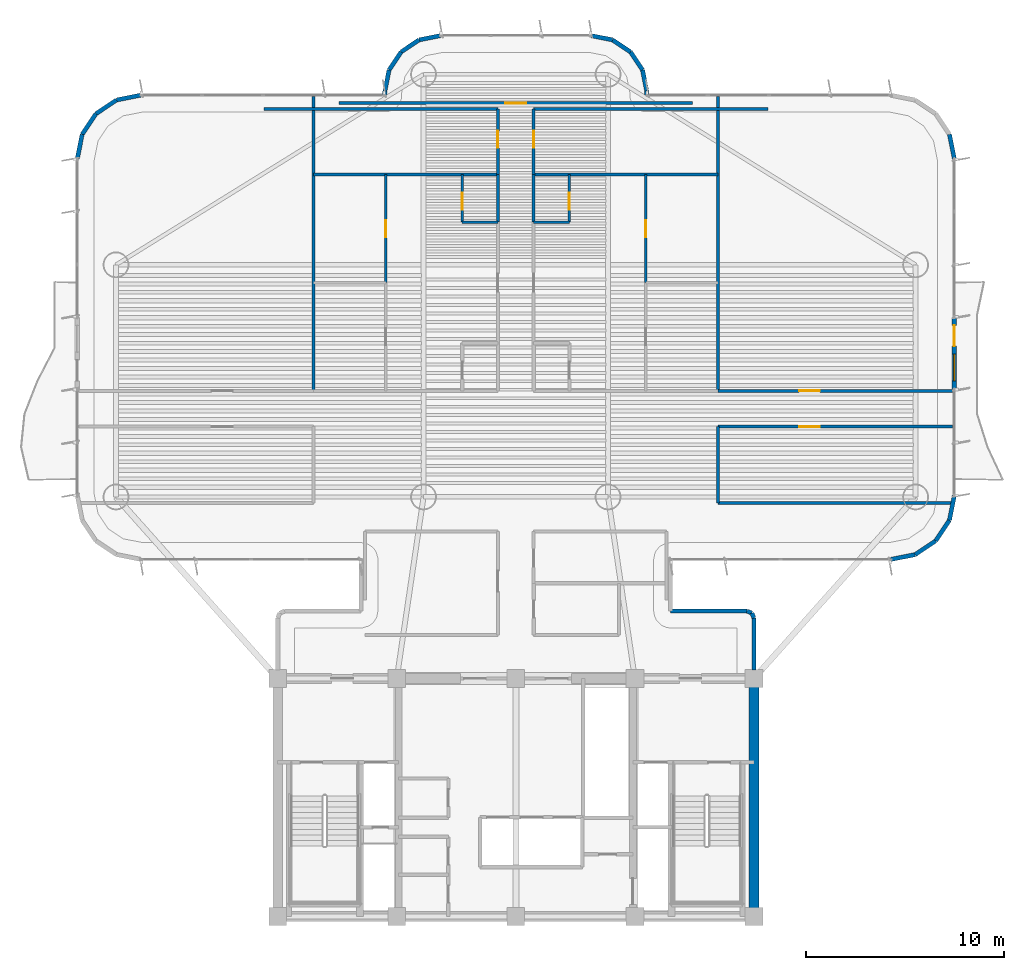
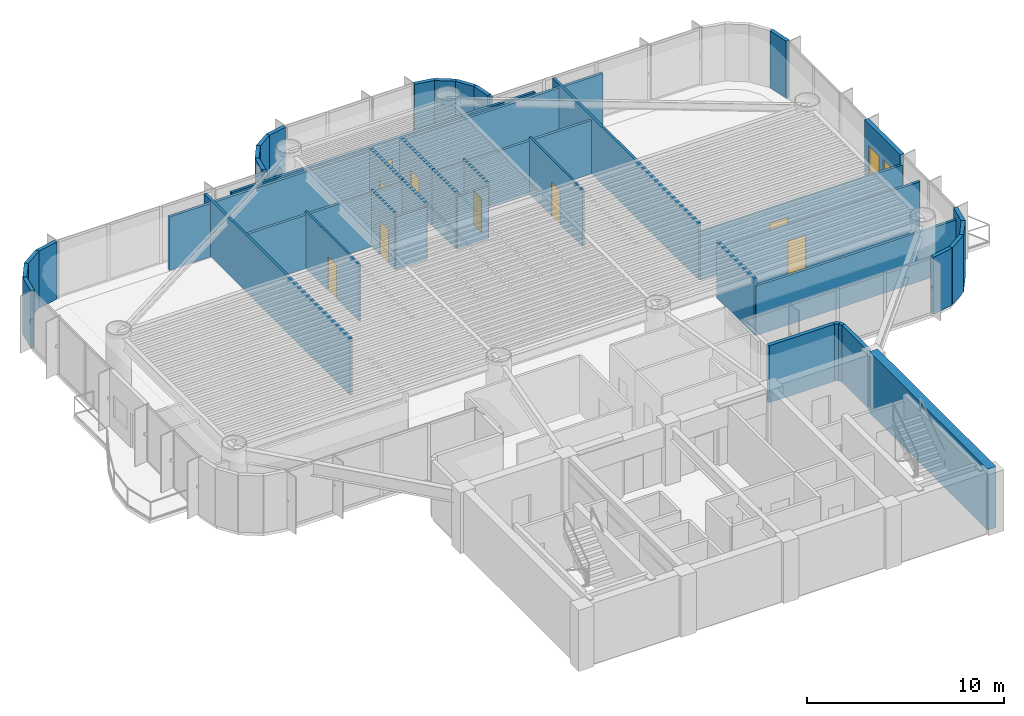
# One storey, part 11 of 16: 46 walls, 10 doors, 1 window, 11 openings.
"""IFC4 building model written with IfcOpenShell, lengths in metres."""

from ifc_helpers import new_model, si_unit, direction, frame, frame_2d, origin, origin_2d, place, context, subcontext, project, spatial, rectangle, extrude, source, transform, mapped, material, layer, layer_set, type_object, element, fill, save


model = new_model("IFC4")

# Units and contexts
model_context = context("Model", 3, precision=1e-05, world=origin(), true_north=direction((0.0, 1.0)))
body_context = subcontext(model_context, "Body", "Model", "MODEL_VIEW")
ifc_project = project(units=[si_unit("LENGTHUNIT", "METRE"), si_unit("AREAUNIT", "SQUARE_METRE"), si_unit("VOLUMEUNIT", "CUBIC_METRE"), si_unit("PLANEANGLEUNIT", "RADIAN"), si_unit("MASSUNIT", "GRAM", prefix="KILO")], contexts=[model_context])

# Site, building, storey
site_placement = place(None, origin())
site = spatial("IfcSite", under=ifc_project, at=site_placement, CompositionType="ELEMENT")
building_placement = place(site_placement, origin())
building = spatial("IfcBuilding", under=site, at=building_placement, Name="Brelvock Crest Care Tower", CompositionType="ELEMENT")
storey_placement = place(building_placement, frame((0.0, 0.0, 138.9599609375)))
storey = spatial("IfcBuildingStorey", under=building, at=storey_placement, Name="L35", CompositionType="ELEMENT", Elevation=138.9599609375)

# Wall
ifc_material_1 = material(Name="Concrete S80 (80 MPa)", Category="concrete")
ifc_layer_1 = layer(ifc_material_1, 0.5, Name="WL-CS2")
ifc_layer_set_1 = layer_set([ifc_layer_1], Name="Concrete S80 (80 MPa)")
wall_type_1 = type_object("IfcWallType", Name="WL-CS2", PredefinedType="SHEAR", material=ifc_layer_set_1)
wall_1_placement = place(storey_placement, frame((48.0, 18.0, 0.0), z_axis=(0.0, 0.0, 1.0), x_axis=(0.0, -1.0, 0.0)))
element("IfcWall", 1, at=wall_1_placement, inside=storey, type_object=wall_type_1, Name="L35 Core East Shear Wall", PredefinedType="SHEAR", context=body_context, shape_type="SweptSolid", body=[
    extrude(rectangle(XDim=12.0, YDim=0.5, at=frame_2d((6.0, 0.0))), origin(), (0.0, 0.0, 1.0), 3.780029296875),
])

# Wall, openings, door, window
ifc_material_2 = material(Name="Precast concrete N40 (40 MPa)", Category="concrete")
ifc_layer_2 = layer(ifc_material_2, 0.239990234375, Name="WL-EX1")
ifc_layer_set_2 = layer_set([ifc_layer_2], Name="Precast concrete N40 (40 MPa)")
wall_type_2 = type_object("IfcWallType", Name="WL-EX1", PredefinedType="SOLIDWALL", material=ifc_layer_set_2)
wall_2_placement = place(storey_placement, frame((58.10009765625, 36.199951171875, 0.0), z_axis=(0.0, 0.0, 1.0), x_axis=(0.0, -1.0, 0.0)))
wall_2 = element("IfcWall", 2, at=wall_2_placement, inside=storey, type_object=wall_type_2, Name="L35 Exterior Spandrel Wall WL-BAL-L35-E", PredefinedType="SOLIDWALL", context=body_context, shape_type="SweptSolid", body=[
    extrude(rectangle(XDim=3.599853515625, YDim=0.239990234375, at=frame_2d((1.7998046875, 0.0))), origin(), (0.0, 0.0, 1.0), 3.530029296875),
])
opening_1_placement = place(wall_2_placement, frame((0.39990234375, 0.0, 0.0)))
opening_1 = element("IfcOpeningElement", 3, at=opening_1_placement, cuts=wall_2, Name="Opening BD-1", PredefinedType="OPENING", context=body_context, shape_type="SweptSolid", body=[
    extrude(rectangle(XDim=1.050048828125, YDim=2.14990234375, at=origin_2d()), frame((0.52490234375, 0.1298828125, 1.074951171875), z_axis=(0.0, -1.0, 0.0), x_axis=(1.0, 0.0, 0.0)), (0.0, 0.0, 1.0), 0.260009765625),
])
opening_2_placement = place(wall_2_placement, frame((1.85009765625, 0.0, 0.85009765625)))
opening_2 = element("IfcOpeningElement", 4, at=opening_2_placement, cuts=wall_2, Name="Opening W-01", PredefinedType="OPENING", context=body_context, shape_type="SweptSolid", body=[
    extrude(rectangle(XDim=1.35009765625, YDim=1.35009765625, at=origin_2d()), frame((0.675048828125, 0.1298828125, 0.675048828125), z_axis=(0.0, -1.0, 0.0), x_axis=(1.0, 0.0, 0.0)), (0.0, 0.0, 1.0), 0.260009765625),
])
ifc_material_3 = material(Name="Dark Glass Double Glazed Low-E", Category="glass")
door_type_1 = type_object("IfcDoorType", Name="DR-BAL1", OperationType="NOTDEFINED", PredefinedType="DOOR", material=ifc_material_3)
shared_shape_1 = source(origin(), body_context, "Body", "SweptSolid", [
    extrude(rectangle(XDim=1.050048828125, YDim=2.14990234375, at=origin_2d()), frame((0.52490234375, 0.02490234375, 1.074951171875), z_axis=(0.0, -1.0, 0.0), x_axis=(1.0, 0.0, 0.0)), (0.0, 0.0, 1.0), 0.050048828125),
])
door_1_placement = place(opening_1_placement, origin())
door_1 = element("IfcDoor", 5, at=door_1_placement, inside=storey, type_object=door_type_1, Name="L35 E Wave Balcony Glazed Door", OperationType="SINGLE_SWING_RIGHT", OverallHeight=2.14990234375, OverallWidth=1.050048828125, PredefinedType="DOOR", context=body_context, shape_type="MappedRepresentation", body=[
    mapped(shared_shape_1, transform((0.0, 0.0, 0.0), x_axis=(1.0, 0.0, 0.0), y_axis=(0.0, 1.0, 0.0), z_axis=(0.0, 0.0, 1.0), scale=1.0)),
])
fill(opening_1, door_1)
window_type = type_object("IfcWindowType", Name="WN-EX1", PartitioningType="SINGLE_PANEL", PredefinedType="WINDOW", material=ifc_material_3)
shared_shape_2 = source(origin(), body_context, "Body", "SweptSolid", [
    extrude(rectangle(XDim=1.35009765625, YDim=1.35009765625, at=origin_2d()), frame((0.675048828125, 0.030029296875, 0.675048828125), z_axis=(0.0, -1.0, 0.0), x_axis=(1.0, 0.0, 0.0)), (0.0, 0.0, 1.0), 0.06005859375),
])
window_placement = place(opening_2_placement, origin())
window = element("IfcWindow", 6, at=window_placement, inside=storey, type_object=window_type, Name="L35 E Suite Casement Window", OverallHeight=1.35009765625, OverallWidth=1.35009765625, PartitioningType="SINGLE_PANEL", PredefinedType="WINDOW", context=body_context, shape_type="MappedRepresentation", body=[
    mapped(shared_shape_2, transform((0.0, 0.0, 0.0), x_axis=(1.0, 0.0, 0.0), y_axis=(0.0, 1.0, 0.0), z_axis=(0.0, 0.0, 1.0), scale=1.0)),
])
fill(opening_2, window)

# Walls
ifc_layer_3 = layer(ifc_material_2, 0.215087890625, Name="WL-EX2")
ifc_layer_set_3 = layer_set([ifc_layer_3], Name="Precast concrete N40 (40 MPa)")
wall_type_3 = type_object("IfcWallType", Name="WL-EX2", PredefinedType="SOLIDWALL", material=ifc_layer_set_3)
wall_3_placement = place(storey_placement, frame((47.8974609375, 21.297607421875, 0.0), z_axis=(0.0, 0.0, 1.0), x_axis=(0.382673670509, -0.923883575944, 0.0)))
element("IfcWall", 7, at=wall_3_placement, inside=storey, type_object=wall_type_3, Name="L35 Rounded Corner Wall 00", PredefinedType="SOLIDWALL", context=body_context, shape_type="SweptSolid", body=[
    extrude(rectangle(XDim=0.26806640625, YDim=0.215087890625, at=frame_2d((0.134033203125, 0.0))), origin(), (0.0, 0.0, 1.0), 3.530029296875),
])
wall_4_placement = place(storey_placement, frame((48.0, 21.050048828125, 0.0), z_axis=(0.0, 0.0, 1.0), x_axis=(0.0, -1.0, 0.0)))
element("IfcWall", 8, at=wall_4_placement, inside=storey, type_object=wall_type_3, Name="L35 Rounded Corner Wall 01", PredefinedType="SOLIDWALL", context=body_context, shape_type="SweptSolid", body=[
    extrude(rectangle(XDim=2.6201171875, YDim=0.215087890625, at=frame_2d((1.31005859375, 0.0))), origin(), (0.0, 0.0, 1.0), 3.530029296875),
])
for number, where, z_axis, x_axis, name in (
    (9, (13.89990234375, 44.199951171875, 0.0), (0.0, 0.0, 1.0), (0.195138390419, 0.980775717779, 0.0), "L35 Rounded Corner Wall 18"),
    (10, (14.1435546875, 45.424560546875, 0.0), (0.0, 0.0, 1.0), (0.555692485475, 0.831387912822, 0.0), "L35 Rounded Corner Wall 19"),
    (11, (14.83740234375, 46.462646484375, 0.0), (0.0, 0.0, 1.0), (0.831387912822, 0.555692485475, 0.0), "L35 Rounded Corner Wall 20"),
    (12, (15.87548828125, 47.156494140625, 0.0), (0.0, 0.0, 1.0), (0.980813122964, 0.194950295773, 0.0), "L35 Rounded Corner Wall 21"),
):
    element("IfcWall", number, at=place(storey_placement, frame(where, z_axis=z_axis, x_axis=x_axis)), inside=storey, type_object=wall_type_3, Name=name, PredefinedType="SOLIDWALL", context=body_context, shape_type="SweptSolid", body=[
        extrude(rectangle(XDim=1.24853515625, YDim=0.215087890625, at=frame_2d((0.624267578125, 0.0))), origin(), (0.0, 0.0, 1.0), 3.530029296875),
    ])
wall_5_placement = place(storey_placement, frame((29.39990234375, 47.39990234375, 0.0), z_axis=(0.0, 0.0, 1.0), x_axis=(0.0, 1.0, 0.0)))
element("IfcWall", 13, at=wall_5_placement, inside=storey, type_object=wall_type_3, Name="L35 Rounded Corner Wall 23", PredefinedType="SOLIDWALL", context=body_context, shape_type="SweptSolid", body=[
    extrude(rectangle(XDim=0.2001953125, YDim=0.215087890625, at=frame_2d((0.10009765625, 0.0))), origin(), (0.0, 0.0, 1.0), 3.530029296875),
])
wall_6_placement = place(storey_placement, frame((29.39990234375, 47.60009765625, 0.0), z_axis=(0.0, 0.0, 1.0), x_axis=(0.195127417394, 0.980777900945, 0.0)))
element("IfcWall", 14, at=wall_6_placement, inside=storey, type_object=wall_type_3, Name="L35 Rounded Corner Wall 24", PredefinedType="SOLIDWALL", context=body_context, shape_type="SweptSolid", body=[
    extrude(rectangle(XDim=1.09228515625, YDim=0.215087890625, at=frame_2d((0.546142578125, 0.0))), origin(), (0.0, 0.0, 1.0), 3.530029296875),
])
wall_7_placement = place(storey_placement, frame((29.613037109375, 48.67138671875, 0.0), z_axis=(0.0, 0.0, 1.0), x_axis=(0.555679482341, 0.831396603857, 0.0)))
element("IfcWall", 15, at=wall_7_placement, inside=storey, type_object=wall_type_3, Name="L35 Rounded Corner Wall 25", PredefinedType="SOLIDWALL", context=body_context, shape_type="SweptSolid", body=[
    extrude(rectangle(XDim=1.0927734375, YDim=0.215087890625, at=frame_2d((0.54638671875, 0.0))), origin(), (0.0, 0.0, 1.0), 3.530029296875),
])
for number, where, z_axis, x_axis, name in (
    (16, (30.22021484375, 49.579833984375, 0.0), (0.0, 0.0, 1.0), (0.831327592857, 0.555782721353, 0.0), "L35 Rounded Corner Wall 26"),
    (17, (31.12841796875, 50.18701171875, 0.0), (0.0, 0.0, 1.0), (0.980829143587, 0.194869677195, 0.0), "L35 Rounded Corner Wall 27"),
    (18, (39.800048828125, 50.39990234375, 0.0), (0.0, 0.0, 1.0), (0.980829143587, -0.194869677195, 0.0), "L35 Rounded Corner Wall 29"),
    (19, (40.87158203125, 50.18701171875, 0.0), (0.0, 0.0, 1.0), (0.831327592857, -0.555782721353, 0.0), "L35 Rounded Corner Wall 30"),
):
    element("IfcWall", number, at=place(storey_placement, frame(where, z_axis=z_axis, x_axis=x_axis)), inside=storey, type_object=wall_type_3, Name=name, PredefinedType="SOLIDWALL", context=body_context, shape_type="SweptSolid", body=[
        extrude(rectangle(XDim=1.092529296875, YDim=0.215087890625, at=frame_2d((0.54638671875, 0.0))), origin(), (0.0, 0.0, 1.0), 3.530029296875),
    ])
wall_8_placement = place(storey_placement, frame((41.77978515625, 49.579833984375, 0.0), z_axis=(0.0, 0.0, 1.0), x_axis=(0.555679482341, -0.831396603857, 0.0)))
element("IfcWall", 20, at=wall_8_placement, inside=storey, type_object=wall_type_3, Name="L35 Rounded Corner Wall 31", PredefinedType="SOLIDWALL", context=body_context, shape_type="SweptSolid", body=[
    extrude(rectangle(XDim=1.0927734375, YDim=0.215087890625, at=frame_2d((0.54638671875, 0.0))), origin(), (0.0, 0.0, 1.0), 3.530029296875),
])
wall_9_placement = place(storey_placement, frame((42.386962890625, 48.67138671875, 0.0), z_axis=(0.0, 0.0, 1.0), x_axis=(0.195127417394, -0.980777900945, 0.0)))
element("IfcWall", 21, at=wall_9_placement, inside=storey, type_object=wall_type_3, Name="L35 Rounded Corner Wall 32", PredefinedType="SOLIDWALL", context=body_context, shape_type="SweptSolid", body=[
    extrude(rectangle(XDim=1.09228515625, YDim=0.215087890625, at=frame_2d((0.546142578125, 0.0))), origin(), (0.0, 0.0, 1.0), 3.530029296875),
])
wall_10_placement = place(storey_placement, frame((42.60009765625, 47.60009765625, 0.0), z_axis=(0.0, 0.0, 1.0), x_axis=(0.0, -1.0, 0.0)))
element("IfcWall", 22, at=wall_10_placement, inside=storey, type_object=wall_type_3, Name="L35 Rounded Corner Wall 33", PredefinedType="SOLIDWALL", context=body_context, shape_type="SweptSolid", body=[
    extrude(rectangle(XDim=0.2001953125, YDim=0.215087890625, at=frame_2d((0.10009765625, 0.0))), origin(), (0.0, 0.0, 1.0), 3.530029296875),
])
for number, where, z_axis, x_axis, name in (
    (23, (57.8564453125, 45.424560546875, 0.0), (0.0, 0.0, 1.0), (0.195138390419, -0.980775717779, 0.0), "L35 Rounded Corner Wall 38"),
    (24, (58.10009765625, 27.199951171875, 0.0), (0.0, 0.0, 1.0), (-0.195138390419, -0.980775717779, 0.0), "L35 Rounded Corner Wall 40"),
    (25, (57.8564453125, 25.975341796875, 0.0), (0.0, 0.0, 1.0), (-0.555692485475, -0.831387912822, 0.0), "L35 Rounded Corner Wall 41"),
    (26, (57.16259765625, 24.937255859375, 0.0), (0.0, 0.0, 1.0), (-0.831478245117, -0.555557312883, 0.0), "L35 Rounded Corner Wall 42"),
    (27, (56.12451171875, 24.24365234375, 0.0), (0.0, 0.0, 1.0), (-0.980775717779, -0.195138390419, 0.0), "L35 Rounded Corner Wall 43"),
):
    element("IfcWall", number, at=place(storey_placement, frame(where, z_axis=z_axis, x_axis=x_axis)), inside=storey, type_object=wall_type_3, Name=name, PredefinedType="SOLIDWALL", context=body_context, shape_type="SweptSolid", body=[
        extrude(rectangle(XDim=1.24853515625, YDim=0.215087890625, at=frame_2d((0.624267578125, 0.0))), origin(), (0.0, 0.0, 1.0), 3.530029296875),
    ])
wall_11_placement = place(storey_placement, frame((43.800048828125, 21.39990234375, 0.0), z_axis=(0.0, 0.0, 1.0), x_axis=(1.0, 0.0, 0.0)))
element("IfcWall", 28, at=wall_11_placement, inside=storey, type_object=wall_type_3, Name="L35 Rounded Corner Wall 46", PredefinedType="SOLIDWALL", context=body_context, shape_type="SweptSolid", body=[
    extrude(rectangle(XDim=3.849853515625, YDim=0.215087890625, at=frame_2d((1.9248046875, 0.0))), origin(), (0.0, 0.0, 1.0), 3.530029296875),
])
wall_12_placement = place(storey_placement, frame((47.64990234375, 21.39990234375, 0.0), z_axis=(0.0, 0.0, 1.0), x_axis=(0.924205486139, -0.381895560841, 0.0)))
element("IfcWall", 29, at=wall_12_placement, inside=storey, type_object=wall_type_3, Name="L35 Rounded Corner Wall 47", PredefinedType="SOLIDWALL", context=body_context, shape_type="SweptSolid", body=[
    extrude(rectangle(XDim=0.267822265625, YDim=0.215087890625, at=frame_2d((0.1337890625, 0.0))), origin(), (0.0, 0.0, 1.0), 3.530029296875),
])
ifc_material_4 = material(Name="Masonry Blockwork Acoustic Partition", Category="masonry")
ifc_layer_4 = layer(ifc_material_4, 0.14990234375, Name="WL-INT1")
ifc_layer_set_4 = layer_set([ifc_layer_4], Name="Masonry Blockwork Acoustic Partition")
wall_type_4 = type_object("IfcWallType", Name="WL-INT1", PredefinedType="PARTITIONING", material=ifc_layer_set_4)
wall_13_placement = place(storey_placement, frame((46.199951171875, 26.85009765625, 0.0), z_axis=(0.0, 0.0, 1.0), x_axis=(1.0, 0.0, 0.0)))
element("IfcWall", 30, at=wall_13_placement, inside=storey, type_object=wall_type_4, Name="L35 Interior Wall WL-BX-L35-ISEO-S", PredefinedType="PARTITIONING", context=body_context, shape_type="SweptSolid", body=[
    extrude(rectangle(XDim=11.748779296875, YDim=0.14990234375, at=frame_2d((5.87451171875, 0.0))), origin(), (0.0, 0.0, 1.0), 3.054931640625),
])

# Wall, opening, door
wall_14_placement = place(storey_placement, frame((46.199951171875, 30.699951171875, 0.0), z_axis=(0.0, 0.0, 1.0), x_axis=(1.0, 0.0, 0.0)))
wall_14 = element("IfcWall", 31, at=wall_14_placement, inside=storey, type_object=wall_type_4, Name="L35 Interior Wall WL-RM-L35-ISEO", PredefinedType="PARTITIONING", context=body_context, shape_type="SweptSolid", body=[
    extrude(rectangle(XDim=11.820068359375, YDim=0.14990234375, at=frame_2d((5.91015625, 0.0))), origin(), (0.0, 0.0, 1.0), 3.054931640625),
])
opening_3_placement = place(wall_14_placement, frame((4.074951171875, 0.0, 0.0)))
opening_3 = element("IfcOpeningElement", 32, at=opening_3_placement, cuts=wall_14, Name="Opening CLD-1", PredefinedType="OPENING", context=body_context, shape_type="SweptSolid", body=[
    extrude(rectangle(XDim=1.050048828125, YDim=2.10009765625, at=origin_2d()), frame((0.52490234375, 0.0849609375, 1.050048828125), z_axis=(0.0, -1.0, 0.0), x_axis=(1.0, 0.0, 0.0)), (0.0, 0.0, 1.0), 0.169921875),
])
ifc_material_5 = material(Name="Engineered Hardwood Timber", Category="wood")
door_type_2 = type_object("IfcDoorType", Name="DR-CLN1", OperationType="NOTDEFINED", PredefinedType="DOOR", material=ifc_material_5)
shared_shape_3 = source(origin(), body_context, "Body", "SweptSolid", [
    extrude(rectangle(XDim=1.050048828125, YDim=2.10009765625, at=origin_2d()), frame((0.52490234375, 0.02490234375, 1.050048828125), z_axis=(0.0, -1.0, 0.0), x_axis=(1.0, 0.0, 0.0)), (0.0, 0.0, 1.0), 0.050048828125),
])
door_2_placement = place(opening_3_placement, origin())
door_2 = element("IfcDoor", 33, at=door_2_placement, inside=storey, type_object=door_type_2, Name="L35 Resident Harbour Study Door ISEO", OperationType="SINGLE_SWING_LEFT", OverallHeight=2.10009765625, OverallWidth=1.050048828125, PredefinedType="DOOR", context=body_context, shape_type="MappedRepresentation", body=[
    mapped(shared_shape_3, transform((0.0, 0.0, 0.0), x_axis=(1.0, 0.0, 0.0), y_axis=(0.0, 1.0, 0.0), z_axis=(0.0, 0.0, 1.0), scale=1.0)),
])
fill(opening_3, door_2)

wall_15_placement = place(storey_placement, frame((46.199951171875, 32.5, 0.0), z_axis=(0.0, 0.0, 1.0), x_axis=(1.0, 0.0, 0.0)))
wall_15 = element("IfcWall", 34, at=wall_15_placement, inside=storey, type_object=wall_type_4, Name="L35 Interior Wall WL-RM-L35-INEO", PredefinedType="PARTITIONING", context=body_context, shape_type="SweptSolid", body=[
    extrude(rectangle(XDim=11.820068359375, YDim=0.14990234375, at=frame_2d((5.91015625, 0.0))), origin(), (0.0, 0.0, 1.0), 2.98193359375),
])
opening_4_placement = place(wall_15_placement, frame((4.074951171875, 0.0, 0.0)))
opening_4 = element("IfcOpeningElement", 35, at=opening_4_placement, cuts=wall_15, Name="Opening CLD-1", PredefinedType="OPENING", context=body_context, shape_type="SweptSolid", body=[
    extrude(rectangle(XDim=1.050048828125, YDim=2.10009765625, at=origin_2d()), frame((0.52490234375, 0.0849609375, 1.050048828125), z_axis=(0.0, -1.0, 0.0), x_axis=(1.0, 0.0, 0.0)), (0.0, 0.0, 1.0), 0.169921875),
])
door_3_placement = place(opening_4_placement, origin())
door_3 = element("IfcDoor", 36, at=door_3_placement, inside=storey, type_object=door_type_2, Name="L35 Resident Harbour Study Door INEO", OperationType="SINGLE_SWING_LEFT", OverallHeight=2.10009765625, OverallWidth=1.050048828125, PredefinedType="DOOR", context=body_context, shape_type="MappedRepresentation", body=[
    mapped(shared_shape_3, transform((0.0, 0.0, 0.0), x_axis=(1.0, 0.0, 0.0), y_axis=(0.0, 1.0, 0.0), z_axis=(0.0, 0.0, 1.0), scale=1.0)),
])
fill(opening_4, door_3)

# Walls
for number, where, z_axis, x_axis, name in (
    (37, (25.800048828125, 43.39990234375, 0.0), (0.0, 0.0, 1.0), (1.0, 0.0, 0.0), "L35 Interior Wall WL-BX-L35-FL-INWI-N"),
    (38, (36.89990234375, 43.39990234375, 0.0), (0.0, 0.0, 1.0), (1.0, 0.0, 0.0), "L35 Interior Wall WL-BX-L35-FL-INEI-N"),
):
    element("IfcWall", number, at=place(storey_placement, frame(where, z_axis=z_axis, x_axis=x_axis)), inside=storey, type_object=wall_type_4, Name=name, PredefinedType="PARTITIONING", context=body_context, shape_type="SweptSolid", body=[
        extrude(rectangle(XDim=9.300048828125, YDim=0.14990234375, at=frame_2d((4.64990234375, 0.0))), origin(), (0.0, 0.0, 1.0), 3.30810546875),
    ])
for number, where, z_axis, x_axis, name in (
    (39, (23.300048828125, 46.699951171875, 0.0), (0.0, 0.0, 1.0), (1.0, 0.0, 0.0), "L35 Interior Wall WL-BX-L35-INWN-N"),
    (40, (36.89990234375, 46.699951171875, 0.0), (0.0, 0.0, 1.0), (1.0, 0.0, 0.0), "L35 Interior Wall WL-BX-L35-INEN-N"),
):
    element("IfcWall", number, at=place(storey_placement, frame(where, z_axis=z_axis, x_axis=x_axis)), inside=storey, type_object=wall_type_4, Name=name, PredefinedType="PARTITIONING", context=body_context, shape_type="SweptSolid", body=[
        extrude(rectangle(XDim=11.800048828125, YDim=0.14990234375, at=frame_2d((5.89990234375, 0.0))), origin(), (0.0, 0.0, 1.0), 3.30810546875),
    ])

# Wall, opening, door
wall_16_placement = place(storey_placement, frame((27.10009765625, 47.0, 0.0), z_axis=(0.0, 0.0, 1.0), x_axis=(1.0, 0.0, 0.0)))
wall_16 = element("IfcWall", 41, at=wall_16_placement, inside=storey, type_object=wall_type_4, Name="L35 Interior Wall WL-RM-L35-NHUB", PredefinedType="PARTITIONING", context=body_context, shape_type="SweptSolid", body=[
    extrude(rectangle(XDim=17.7998046875, YDim=0.14990234375, at=frame_2d((8.89990234375, 0.0))), origin(), (0.0, 0.0, 1.0), 3.30810546875),
])
opening_5_placement = place(wall_16_placement, frame((8.375, 0.0, 0.0)))
opening_5 = element("IfcOpeningElement", 42, at=opening_5_placement, cuts=wall_16, Name="Opening CLD-1", PredefinedType="OPENING", context=body_context, shape_type="SweptSolid", body=[
    extrude(rectangle(XDim=1.050048828125, YDim=2.10009765625, at=origin_2d()), frame((0.52490234375, 0.0849609375, 1.050048828125), z_axis=(0.0, -1.0, 0.0), x_axis=(1.0, 0.0, 0.0)), (0.0, 0.0, 1.0), 0.169921875),
])
door_4_placement = place(opening_5_placement, origin())
door_4 = element("IfcDoor", 43, at=door_4_placement, inside=storey, type_object=door_type_2, Name="L35 North Panorama Sunroom Door NHUB", OperationType="SINGLE_SWING_LEFT", OverallHeight=2.10009765625, OverallWidth=1.050048828125, PredefinedType="DOOR", context=body_context, shape_type="MappedRepresentation", body=[
    mapped(shared_shape_3, transform((0.0, 0.0, 0.0), x_axis=(1.0, 0.0, 0.0), y_axis=(0.0, 1.0, 0.0), z_axis=(0.0, 0.0, 1.0), scale=1.0)),
])
fill(opening_5, door_4)

# Walls
wall_17_placement = place(storey_placement, frame((25.800048828125, 32.5, 0.0), z_axis=(0.0, 0.0, 1.0), x_axis=(0.0, 1.0, 0.0)))
element("IfcWall", 44, at=wall_17_placement, inside=storey, type_object=wall_type_4, Name="L35 Interior Wall WL-BX-L35-INWO-E", PredefinedType="PARTITIONING", context=body_context, shape_type="SweptSolid", body=[
    extrude(rectangle(XDim=14.821044921875, YDim=0.14990234375, at=frame_2d((7.41064453125, 0.0))), origin(), (0.0, 0.0, 1.0), 3.5),
])
wall_18_placement = place(storey_placement, frame((35.10009765625, 41.0, 0.0), z_axis=(0.0, 0.0, 1.0), x_axis=(0.0, 1.0, 0.0)))
element("IfcWall", 45, at=wall_18_placement, inside=storey, type_object=wall_type_4, Name="L35 Interior Wall WL-UCK-L35-INWI", PredefinedType="PARTITIONING", context=body_context, shape_type="SweptSolid", body=[
    extrude(rectangle(XDim=2.39990234375, YDim=0.14990234375, at=frame_2d((1.199951171875, 0.0))), origin(), (0.0, 0.0, 1.0), 3.5),
])

# Wall, opening, door
wall_19_placement = place(storey_placement, frame((35.10009765625, 43.39990234375, 0.0), z_axis=(0.0, 0.0, 1.0), x_axis=(0.0, 1.0, 0.0)))
wall_19 = element("IfcWall", 46, at=wall_19_placement, inside=storey, type_object=wall_type_4, Name="L35 Interior Wall WL-RM-L35-INWN", PredefinedType="PARTITIONING", context=body_context, shape_type="SweptSolid", body=[
    extrude(rectangle(XDim=3.300048828125, YDim=0.14990234375, at=frame_2d((1.64990234375, 0.0))), origin(), (0.0, 0.0, 1.0), 3.5),
])
opening_6_placement = place(wall_19_placement, frame((1.340087890625, 0.0, 0.0)))
opening_6 = element("IfcOpeningElement", 47, at=opening_6_placement, cuts=wall_19, Name="Opening ID-1", PredefinedType="OPENING", context=body_context, shape_type="SweptSolid", body=[
    extrude(rectangle(XDim=0.860107421875, YDim=2.10009765625, at=origin_2d()), frame((0.43017578125, 0.0849609375, 1.050048828125), z_axis=(0.0, -1.0, 0.0), x_axis=(1.0, 0.0, 0.0)), (0.0, 0.0, 1.0), 0.169921875),
])
door_type_3 = type_object("IfcDoorType", Name="DR-INT1", OperationType="NOTDEFINED", PredefinedType="DOOR", material=ifc_material_5)
shared_shape_4 = source(origin(), body_context, "Body", "SweptSolid", [
    extrude(rectangle(XDim=0.860107421875, YDim=2.10009765625, at=origin_2d()), frame((0.43017578125, 0.02490234375, 1.050048828125), z_axis=(0.0, -1.0, 0.0), x_axis=(1.0, 0.0, 0.0)), (0.0, 0.0, 1.0), 0.050048828125),
])
door_5_placement = place(opening_6_placement, origin())
door_5 = element("IfcDoor", 48, at=door_5_placement, inside=storey, type_object=door_type_3, Name="L35 Harbour Reading Alcove Door INWN", OperationType="SINGLE_SWING_LEFT", OverallHeight=2.10009765625, OverallWidth=0.860107421875, PredefinedType="DOOR", context=body_context, shape_type="MappedRepresentation", body=[
    mapped(shared_shape_4, transform((0.0, 0.0, 0.0), x_axis=(1.0, 0.0, 0.0), y_axis=(0.0, 1.0, 0.0), z_axis=(0.0, 0.0, 1.0), scale=1.0)),
])
fill(opening_6, door_5)

# Wall
wall_20_placement = place(storey_placement, frame((36.89990234375, 41.0, 0.0), z_axis=(0.0, 0.0, 1.0), x_axis=(0.0, 1.0, 0.0)))
element("IfcWall", 49, at=wall_20_placement, inside=storey, type_object=wall_type_4, Name="L35 Interior Wall WL-UCK-L35-INEI", PredefinedType="PARTITIONING", context=body_context, shape_type="SweptSolid", body=[
    extrude(rectangle(XDim=2.39990234375, YDim=0.14990234375, at=frame_2d((1.199951171875, 0.0))), origin(), (0.0, 0.0, 1.0), 3.5),
])

# Wall, opening, door
wall_21_placement = place(storey_placement, frame((36.89990234375, 43.39990234375, 0.0), z_axis=(0.0, 0.0, 1.0), x_axis=(0.0, 1.0, 0.0)))
wall_21 = element("IfcWall", 50, at=wall_21_placement, inside=storey, type_object=wall_type_4, Name="L35 Interior Wall WL-RM-L35-INEN", PredefinedType="PARTITIONING", context=body_context, shape_type="SweptSolid", body=[
    extrude(rectangle(XDim=3.300048828125, YDim=0.14990234375, at=frame_2d((1.64990234375, 0.0))), origin(), (0.0, 0.0, 1.0), 3.5),
])
opening_7_placement = place(wall_21_placement, frame((1.340087890625, 0.0, 0.0)))
opening_7 = element("IfcOpeningElement", 51, at=opening_7_placement, cuts=wall_21, Name="Opening ID-1", PredefinedType="OPENING", context=body_context, shape_type="SweptSolid", body=[
    extrude(rectangle(XDim=0.860107421875, YDim=2.10009765625, at=origin_2d()), frame((0.43017578125, 0.0849609375, 1.050048828125), z_axis=(0.0, -1.0, 0.0), x_axis=(1.0, 0.0, 0.0)), (0.0, 0.0, 1.0), 0.169921875),
])
door_6_placement = place(opening_7_placement, origin())
door_6 = element("IfcDoor", 52, at=door_6_placement, inside=storey, type_object=door_type_3, Name="L35 Botanical Tea Alcove Door INEN", OperationType="SINGLE_SWING_LEFT", OverallHeight=2.10009765625, OverallWidth=0.860107421875, PredefinedType="DOOR", context=body_context, shape_type="MappedRepresentation", body=[
    mapped(shared_shape_4, transform((0.0, 0.0, 0.0), x_axis=(1.0, 0.0, 0.0), y_axis=(0.0, 1.0, 0.0), z_axis=(0.0, 0.0, 1.0), scale=1.0)),
])
fill(opening_7, door_6)

# Walls
wall_22_placement = place(storey_placement, frame((46.199951171875, 26.85009765625, 0.0), z_axis=(0.0, 0.0, 1.0), x_axis=(0.0, 1.0, 0.0)))
element("IfcWall", 53, at=wall_22_placement, inside=storey, type_object=wall_type_4, Name="L35 Interior Wall WL-BX-L35-ISEO-W", PredefinedType="PARTITIONING", context=body_context, shape_type="SweptSolid", body=[
    extrude(rectangle(XDim=3.849853515625, YDim=0.14990234375, at=frame_2d((1.9248046875, 0.0))), origin(), (0.0, 0.0, 1.0), 3.5),
])
wall_23_placement = place(storey_placement, frame((46.199951171875, 32.5, 0.0), z_axis=(0.0, 0.0, 1.0), x_axis=(0.0, 1.0, 0.0)))
element("IfcWall", 54, at=wall_23_placement, inside=storey, type_object=wall_type_4, Name="L35 Interior Wall WL-BX-L35-INEO-W", PredefinedType="PARTITIONING", context=body_context, shape_type="SweptSolid", body=[
    extrude(rectangle(XDim=14.821044921875, YDim=0.14990234375, at=frame_2d((7.41064453125, 0.0))), origin(), (0.0, 0.0, 1.0), 3.5),
])
ifc_material_6 = material(Name="Gypsum Plasterboard Partition", Category="gypsum")
ifc_layer_5 = layer(ifc_material_6, 0.1201171875, Name="WL-INT2")
ifc_layer_set_5 = layer_set([ifc_layer_5], Name="Gypsum Plasterboard Partition")
wall_type_5 = type_object("IfcWallType", Name="WL-INT2", PredefinedType="PARTITIONING", material=ifc_layer_set_5)
for number, where, z_axis, x_axis, name in (
    (55, (33.300048828125, 41.0, 0.0), (0.0, 0.0, 1.0), (1.0, 0.0, 0.0), "L35 Interior Wall WL-UKIT2-L35-INWI"),
    (56, (36.89990234375, 41.0, 0.0), (0.0, 0.0, 1.0), (1.0, 0.0, 0.0), "L35 Interior Wall WL-UKIT2-L35-INEI"),
):
    element("IfcWall", number, at=place(storey_placement, frame(where, z_axis=z_axis, x_axis=x_axis)), inside=storey, type_object=wall_type_5, Name=name, PredefinedType="PARTITIONING", context=body_context, shape_type="SweptSolid", body=[
        extrude(rectangle(XDim=1.800048828125, YDim=0.1201171875, at=frame_2d((0.89990234375, 0.0))), origin(), (0.0, 0.0, 1.0), 3.259033203125),
    ])

# Wall, opening, door
wall_24_placement = place(storey_placement, frame((29.449951171875, 37.949951171875, 0.0), z_axis=(0.0, 0.0, 1.0), x_axis=(0.0, 1.0, 0.0)))
wall_24 = element("IfcWall", 57, at=wall_24_placement, inside=storey, type_object=wall_type_5, Name="L35 Interior Wall WL-UBD2-L35-INWI", PredefinedType="PARTITIONING", context=body_context, shape_type="SweptSolid", body=[
    extrude(rectangle(XDim=5.449951171875, YDim=0.1201171875, at=frame_2d((2.72509765625, 0.0))), origin(), (0.0, 0.0, 1.0), 3.5),
])
opening_8_placement = place(wall_24_placement, frame((2.294921875, 0.0, 0.0)))
opening_8 = element("IfcOpeningElement", 58, at=opening_8_placement, cuts=wall_24, Name="Opening ID-1", PredefinedType="OPENING", context=body_context, shape_type="SweptSolid", body=[
    extrude(rectangle(XDim=0.860107421875, YDim=2.10009765625, at=origin_2d()), frame((0.43017578125, 0.070068359375, 1.050048828125), z_axis=(0.0, -1.0, 0.0), x_axis=(1.0, 0.0, 0.0)), (0.0, 0.0, 1.0), 0.14013671875),
])
door_7_placement = place(opening_8_placement, origin())
door_7 = element("IfcDoor", 59, at=door_7_placement, inside=storey, type_object=door_type_3, Name="L35 Second Room Door INWI", OperationType="SINGLE_SWING_LEFT", OverallHeight=2.10009765625, OverallWidth=0.860107421875, PredefinedType="DOOR", context=body_context, shape_type="MappedRepresentation", body=[
    mapped(shared_shape_4, transform((0.0, 0.0, 0.0), x_axis=(1.0, 0.0, 0.0), y_axis=(0.0, 1.0, 0.0), z_axis=(0.0, 0.0, 1.0), scale=1.0)),
])
fill(opening_8, door_7)

wall_25_placement = place(storey_placement, frame((33.300048828125, 41.0, 0.0), z_axis=(0.0, 0.0, 1.0), x_axis=(0.0, 1.0, 0.0)))
wall_25 = element("IfcWall", 60, at=wall_25_placement, inside=storey, type_object=wall_type_5, Name="L35 Interior Wall WL-UKIT1-L35-INWI", PredefinedType="PARTITIONING", context=body_context, shape_type="SweptSolid", body=[
    extrude(rectangle(XDim=2.39990234375, YDim=0.1201171875, at=frame_2d((1.199951171875, 0.0))), origin(), (0.0, 0.0, 1.0), 3.5),
])
opening_9_placement = place(wall_25_placement, frame((0.6201171875, 0.0, 0.0)))
opening_9 = element("IfcOpeningElement", 61, at=opening_9_placement, cuts=wall_25, Name="Opening ID-1", PredefinedType="OPENING", context=body_context, shape_type="SweptSolid", body=[
    extrude(rectangle(XDim=0.860107421875, YDim=2.10009765625, at=origin_2d()), frame((0.43017578125, 0.070068359375, 1.050048828125), z_axis=(0.0, -1.0, 0.0), x_axis=(1.0, 0.0, 0.0)), (0.0, 0.0, 1.0), 0.14013671875),
])
door_8_placement = place(opening_9_placement, origin())
door_8 = element("IfcDoor", 62, at=door_8_placement, inside=storey, type_object=door_type_3, Name="L35 Kitchen Door INWI", OperationType="SINGLE_SWING_LEFT", OverallHeight=2.10009765625, OverallWidth=0.860107421875, PredefinedType="DOOR", context=body_context, shape_type="MappedRepresentation", body=[
    mapped(shared_shape_4, transform((0.0, 0.0, 0.0), x_axis=(1.0, 0.0, 0.0), y_axis=(0.0, 1.0, 0.0), z_axis=(0.0, 0.0, 1.0), scale=1.0)),
])
fill(opening_9, door_8)

wall_26_placement = place(storey_placement, frame((38.699951171875, 41.0, 0.0), z_axis=(0.0, 0.0, 1.0), x_axis=(0.0, 1.0, 0.0)))
wall_26 = element("IfcWall", 63, at=wall_26_placement, inside=storey, type_object=wall_type_5, Name="L35 Interior Wall WL-UKIT1-L35-INEI", PredefinedType="PARTITIONING", context=body_context, shape_type="SweptSolid", body=[
    extrude(rectangle(XDim=2.39990234375, YDim=0.1201171875, at=frame_2d((1.199951171875, 0.0))), origin(), (0.0, 0.0, 1.0), 3.5),
])
opening_10_placement = place(wall_26_placement, frame((0.6201171875, 0.0, 0.0)))
opening_10 = element("IfcOpeningElement", 64, at=opening_10_placement, cuts=wall_26, Name="Opening ID-1", PredefinedType="OPENING", context=body_context, shape_type="SweptSolid", body=[
    extrude(rectangle(XDim=0.860107421875, YDim=2.10009765625, at=origin_2d()), frame((0.43017578125, 0.070068359375, 1.050048828125), z_axis=(0.0, -1.0, 0.0), x_axis=(1.0, 0.0, 0.0)), (0.0, 0.0, 1.0), 0.14013671875),
])
door_9_placement = place(opening_10_placement, origin())
door_9 = element("IfcDoor", 65, at=door_9_placement, inside=storey, type_object=door_type_3, Name="L35 Kitchen Door INEI", OperationType="SINGLE_SWING_RIGHT", OverallHeight=2.10009765625, OverallWidth=0.860107421875, PredefinedType="DOOR", context=body_context, shape_type="MappedRepresentation", body=[
    mapped(shared_shape_4, transform((0.0, 0.0, 0.0), x_axis=(1.0, 0.0, 0.0), y_axis=(0.0, 1.0, 0.0), z_axis=(0.0, 0.0, 1.0), scale=1.0)),
])
fill(opening_10, door_9)

wall_27_placement = place(storey_placement, frame((42.550048828125, 37.949951171875, 0.0), z_axis=(0.0, 0.0, 1.0), x_axis=(0.0, 1.0, 0.0)))
wall_27 = element("IfcWall", 66, at=wall_27_placement, inside=storey, type_object=wall_type_5, Name="L35 Interior Wall WL-UBD2-L35-INEI", PredefinedType="PARTITIONING", context=body_context, shape_type="SweptSolid", body=[
    extrude(rectangle(XDim=5.449951171875, YDim=0.1201171875, at=frame_2d((2.72509765625, 0.0))), origin(), (0.0, 0.0, 1.0), 3.5),
])
opening_11_placement = place(wall_27_placement, frame((2.294921875, 0.0, 0.0)))
opening_11 = element("IfcOpeningElement", 67, at=opening_11_placement, cuts=wall_27, Name="Opening ID-1", PredefinedType="OPENING", context=body_context, shape_type="SweptSolid", body=[
    extrude(rectangle(XDim=0.860107421875, YDim=2.10009765625, at=origin_2d()), frame((0.43017578125, 0.070068359375, 1.050048828125), z_axis=(0.0, -1.0, 0.0), x_axis=(1.0, 0.0, 0.0)), (0.0, 0.0, 1.0), 0.14013671875),
])
door_10_placement = place(opening_11_placement, origin())
door_10 = element("IfcDoor", 68, at=door_10_placement, inside=storey, type_object=door_type_3, Name="L35 Second Room Door INEI", OperationType="SINGLE_SWING_LEFT", OverallHeight=2.10009765625, OverallWidth=0.860107421875, PredefinedType="DOOR", context=body_context, shape_type="MappedRepresentation", body=[
    mapped(shared_shape_4, transform((0.0, 0.0, 0.0), x_axis=(1.0, 0.0, 0.0), y_axis=(0.0, 1.0, 0.0), z_axis=(0.0, 0.0, 1.0), scale=1.0)),
])
fill(opening_11, door_10)

save(model, "model.ifc")
